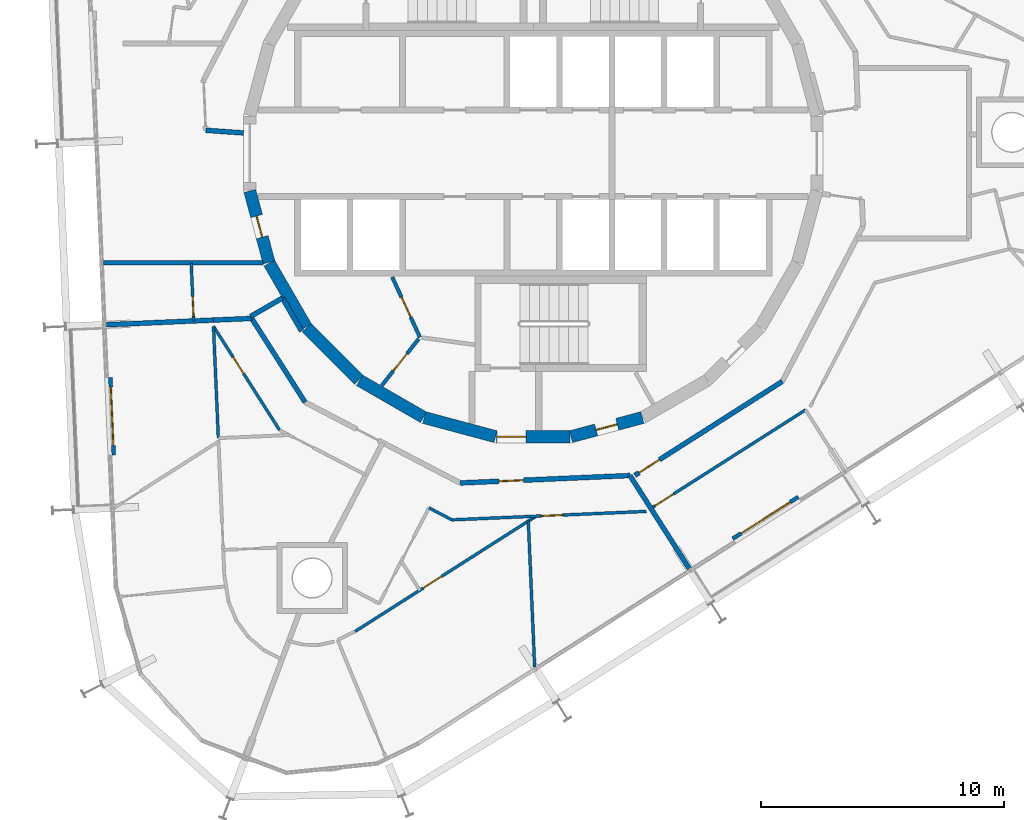
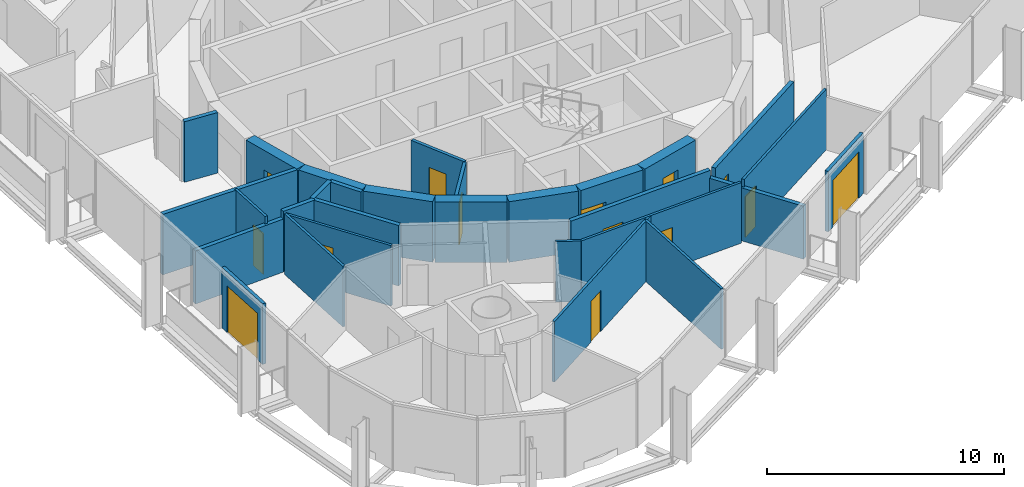
# One storey, part 12 of 18: 29 walls, 14 doors, 14 openings.
"""IFC4 building model written with IfcOpenShell, lengths in metres."""

from ifc_helpers import new_model, si_unit, direction, frame, frame_2d, origin, place, context, subcontext, project, spatial, rectangle, extrude, material, layer, layer_set, type_object, element, fill, save


model = new_model("IFC4")

# Units and contexts
model_context = context("Model", 3, precision=1e-05, world=origin(), true_north=direction((0.0, 1.0)))
body_context = subcontext(model_context, "Body", "Model", "MODEL_VIEW")
ifc_project = project(units=[si_unit("LENGTHUNIT", "METRE"), si_unit("AREAUNIT", "SQUARE_METRE"), si_unit("VOLUMEUNIT", "CUBIC_METRE"), si_unit("PLANEANGLEUNIT", "RADIAN"), si_unit("MASSUNIT", "GRAM", prefix="KILO")], contexts=[model_context])

# Site, building, storey
site_placement = place(None, origin())
site = spatial("IfcSite", under=ifc_project, at=site_placement, CompositionType="ELEMENT")
building_placement = place(site_placement, origin())
building = spatial("IfcBuilding", under=site, at=building_placement, Name="Spindle Arch Residences", CompositionType="ELEMENT")
storey_placement = place(building_placement, frame((0.0, 0.0, 230.199951171875)))
storey = spatial("IfcBuildingStorey", under=building, at=storey_placement, Name="L58", CompositionType="ELEMENT", Elevation=230.199951171875)

# Wall, opening, door
ifc_material_1 = material(Name="Concrete C50/60", Category="concrete")
ifc_layer_1 = layer(ifc_material_1, 0.5)
ifc_layer_set_1 = layer_set([ifc_layer_1], Name="Core outline wall 500")
wall_type_1 = type_object("IfcWallType", Name="Core outline wall 500", PredefinedType="SHEAR", material=ifc_layer_set_1)
wall_1_placement = place(storey_placement, frame((1.5498046875, -11.642822265625, 0.0), z_axis=(0.0, 0.0, 1.0), x_axis=(0.965948410781, 0.258734743916, 0.0)))
wall_1 = element("IfcWall", 1, at=wall_1_placement, inside=storey, type_object=wall_type_1, Name="Core outline wall 1", PredefinedType="SHEAR", context=body_context, shape_type="SweptSolid", body=[
    extrude(rectangle(XDim=3.03271484375, YDim=0.5, at=frame_2d((1.516357421875, 0.0))), origin(), (0.0, 0.0, 1.0), 3.1201171875),
])
opening_1_placement = place(wall_1_placement, frame((1.06640625, 0.0, 0.0)))
opening_1 = element("IfcOpeningElement", 2, at=opening_1_placement, cuts=wall_1, Name="Opening R6A1-WD09", PredefinedType="OPENING", context=body_context, shape_type="SweptSolid", body=[
    extrude(rectangle(XDim=0.89990234375, YDim=2.10009765625, at=frame_2d((0.449951171875, 1.050048828125))), frame((0.0, 0.260009765625, 0.0), z_axis=(0.0, -1.0, 0.0), x_axis=(1.0, 0.0, 0.0)), (0.0, 0.0, 1.0), 0.52001953125),
])
ifc_material_2 = material(Name="Steel, fire-resisting door", Category="steel")
door_type_1 = type_object("IfcDoorType", Name="Service room door 900x2100", OperationType="SINGLE_SWING_LEFT", PredefinedType="DOOR", material=ifc_material_2)
door_1_placement = place(opening_1_placement, origin())
door_1 = element("IfcDoor", 3, at=door_1_placement, inside=storey, type_object=door_type_1, Name="Service room door R6A1-WD09", OperationType="SINGLE_SWING_LEFT", OverallHeight=2.10009765625, OverallWidth=0.89990234375, PredefinedType="DOOR", context=body_context, shape_type="SweptSolid", body=[
    extrude(rectangle(XDim=0.89990234375, YDim=2.10009765625, at=frame_2d((0.449951171875, 1.050048828125))), frame((0.0, 0.02490234375, 0.0), z_axis=(0.0, -1.0, 0.0), x_axis=(1.0, 0.0, 0.0)), (0.0, 0.0, 1.0), 0.050048828125),
])
fill(opening_1, door_1)

wall_2_placement = place(storey_placement, frame((-11.642822265625, -1.5498046875, 0.0), z_axis=(0.0, 0.0, 1.0), x_axis=(0.258734743916, -0.965948410781, 0.0)))
wall_2 = element("IfcWall", 4, at=wall_2_placement, inside=storey, type_object=wall_type_1, Name="Core outline wall 19", PredefinedType="SHEAR", context=body_context, shape_type="SweptSolid", body=[
    extrude(rectangle(XDim=3.03271484375, YDim=0.5, at=frame_2d((1.516357421875, 0.0))), origin(), (0.0, 0.0, 1.0), 3.1201171875),
])
opening_2_placement = place(wall_2_placement, frame((1.06640625, 0.0, 0.0)))
opening_2 = element("IfcOpeningElement", 5, at=opening_2_placement, cuts=wall_2, Name="Opening R6A1-WD10", PredefinedType="OPENING", context=body_context, shape_type="SweptSolid", body=[
    extrude(rectangle(XDim=0.89990234375, YDim=2.10009765625, at=frame_2d((0.449951171875, 1.050048828125))), frame((0.0, 0.260009765625, 0.0), z_axis=(0.0, -1.0, 0.0), x_axis=(1.0, 0.0, 0.0)), (0.0, 0.0, 1.0), 0.52001953125),
])
door_2_placement = place(opening_2_placement, origin())
door_2 = element("IfcDoor", 6, at=door_2_placement, inside=storey, type_object=door_type_1, Name="Service room door R6A1-WD10", OperationType="SINGLE_SWING_RIGHT", OverallHeight=2.10009765625, OverallWidth=0.89990234375, PredefinedType="DOOR", context=body_context, shape_type="SweptSolid", body=[
    extrude(rectangle(XDim=0.89990234375, YDim=2.10009765625, at=frame_2d((0.449951171875, 1.050048828125))), frame((0.0, 0.02490234375, 0.0), z_axis=(0.0, -1.0, 0.0), x_axis=(1.0, 0.0, 0.0)), (0.0, 0.0, 1.0), 0.050048828125),
])
fill(opening_2, door_2)

# Walls
wall_3_placement = place(storey_placement, frame((-10.84521484375, -4.510498046875, 0.0), z_axis=(0.0, 0.0, 1.0), x_axis=(0.500087131594, -0.865975092491, 0.0)))
element("IfcWall", 7, at=wall_3_placement, inside=storey, type_object=wall_type_1, Name="Core outline wall 20", PredefinedType="SHEAR", context=body_context, shape_type="SweptSolid", body=[
    extrude(rectangle(XDim=3.03271484375, YDim=0.5, at=frame_2d((1.516357421875, 0.0))), origin(), (0.0, 0.0, 1.0), 3.1201171875),
])
wall_4_placement = place(storey_placement, frame((-9.30810546875, -7.163818359375, 0.0), z_axis=(0.0, 0.0, 1.0), x_axis=(0.707106781187, -0.707106781187, 0.0)))
element("IfcWall", 8, at=wall_4_placement, inside=storey, type_object=wall_type_1, Name="Core outline wall 21", PredefinedType="SHEAR", context=body_context, shape_type="SweptSolid", body=[
    extrude(rectangle(XDim=3.032470703125, YDim=0.5, at=frame_2d((1.51611328125, 0.0))), origin(), (0.0, 0.0, 1.0), 3.1201171875),
])
for number, where, z_axis, x_axis, name in (
    (9, (-7.13671875, -9.32861328125, 0.0), (0.0, 0.0, 1.0), (0.865975092491, -0.500087131594, 0.0), "Core outline wall 22"),
    (10, (-4.479248046875, -10.858154296875, 0.0), (0.0, 0.0, 1.0), (0.965948410781, -0.258734743916, 0.0), "Core outline wall 23"),
):
    element("IfcWall", number, at=place(storey_placement, frame(where, z_axis=z_axis, x_axis=x_axis)), inside=storey, type_object=wall_type_1, Name=name, PredefinedType="SHEAR", context=body_context, shape_type="SweptSolid", body=[
        extrude(rectangle(XDim=3.03271484375, YDim=0.5, at=frame_2d((1.516357421875, 0.0))), origin(), (0.0, 0.0, 1.0), 3.1201171875),
    ])

# Wall, opening, door
wall_5_placement = place(storey_placement, frame((-1.516357421875, -11.647216796875, 0.0), z_axis=(0.0, 0.0, 1.0), x_axis=(1.0, 0.0, 0.0)))
wall_5 = element("IfcWall", 11, at=wall_5_placement, inside=storey, type_object=wall_type_1, Name="Core outline wall 24", PredefinedType="SHEAR", context=body_context, shape_type="SweptSolid", body=[
    extrude(rectangle(XDim=3.03271484375, YDim=0.5, at=frame_2d((1.516357421875, 0.0))), origin(), (0.0, 0.0, 1.0), 3.1201171875),
])
opening_3_placement = place(wall_5_placement, frame((0.016357421875, 0.0, 0.0)))
opening_3 = element("IfcOpeningElement", 12, at=opening_3_placement, cuts=wall_5, Name="Opening R6A1-AD03", PredefinedType="OPENING", context=body_context, shape_type="SweptSolid", body=[
    extrude(rectangle(XDim=1.199951171875, YDim=2.10009765625, at=frame_2d((0.60009765625, 1.050048828125))), frame((0.0, 0.260009765625, 0.0), z_axis=(0.0, -1.0, 0.0), x_axis=(1.0, 0.0, 0.0)), (0.0, 0.0, 1.0), 0.52001953125),
])
ifc_material_3 = material(Name="Steel, fire-resisting door", Category="steel")
door_type_2 = type_object("IfcDoorType", Name="Stair airlock door 1200x2100", OperationType="SINGLE_SWING_LEFT", PredefinedType="DOOR", material=ifc_material_3)
door_3_placement = place(opening_3_placement, origin())
door_3 = element("IfcDoor", 13, at=door_3_placement, inside=storey, type_object=door_type_2, Name="Stair airlock door R6A1-AD03", OperationType="SINGLE_SWING_RIGHT", OverallHeight=2.10009765625, OverallWidth=1.199951171875, PredefinedType="DOOR", context=body_context, shape_type="SweptSolid", body=[
    extrude(rectangle(XDim=1.199951171875, YDim=2.10009765625, at=frame_2d((0.60009765625, 1.050048828125))), frame((0.0, 0.02490234375, 0.0), z_axis=(0.0, -1.0, 0.0), x_axis=(1.0, 0.0, 0.0)), (0.0, 0.0, 1.0), 0.050048828125),
])
fill(opening_3, door_3)

# Walls
ifc_material_4 = material(Name="Calcium silicate block, plastered")
ifc_layer_2 = layer(ifc_material_4, 0.199951171875)
ifc_layer_set_2 = layer_set([ifc_layer_2], Name="Corridor wall 200")
wall_type_2 = type_object("IfcWallType", Name="Corridor wall 200", PredefinedType="STANDARD", material=ifc_layer_set_2)
wall_6_placement = place(storey_placement, frame((-10.303466796875, -5.94873046875, 0.0), z_axis=(0.0, 0.0, 1.0), x_axis=(-0.866043382451, -0.499968858743, 0.0)))
element("IfcWall", 14, at=wall_6_placement, inside=storey, type_object=wall_type_2, Name="Corridor wall R6A1-W016", PredefinedType="STANDARD", context=body_context, shape_type="SweptSolid", body=[
    extrude(rectangle(XDim=1.51513671875, YDim=0.199951171875, at=frame_2d((0.757568359375, 0.0))), origin(), (0.0, 0.0, 1.0), 3.1201171875),
])
wall_7_placement = place(storey_placement, frame((-9.520263671875, -7.30517578125, 0.0), z_axis=(0.0, 0.0, 1.0), x_axis=(-0.500028278809, 0.866009076391, 0.0)))
element("IfcWall", 15, at=wall_7_placement, inside=storey, type_object=wall_type_2, Name="Corridor wall R6A1-W017", PredefinedType="STANDARD", context=body_context, shape_type="SweptSolid", body=[
    extrude(rectangle(XDim=1.56640625, YDim=0.199951171875, at=frame_2d((0.783203125, 0.0))), origin(), (0.0, 0.0, 1.0), 3.1201171875),
])
wall_8_placement = place(storey_placement, frame((-11.565185546875, -6.785888671875, 0.0), z_axis=(0.0, 0.0, 1.0), x_axis=(0.537297327359, -0.843392898958, 0.0)))
element("IfcWall", 16, at=wall_8_placement, inside=storey, type_object=wall_type_2, Name="Corridor wall R6A1-W018", PredefinedType="STANDARD", context=body_context, shape_type="SweptSolid", body=[
    extrude(rectangle(XDim=4.081298828125, YDim=0.199951171875, at=frame_2d((2.04052734375, 0.0))), origin(), (0.0, 0.0, 1.0), 3.1201171875),
])

# Wall, opening, door
wall_9_placement = place(storey_placement, frame((-3.002685546875, -13.5439453125, 0.0), z_axis=(0.0, 0.0, 1.0), x_axis=(0.999048221872, 0.043619380718, 0.0)))
wall_9 = element("IfcWall", 17, at=wall_9_placement, inside=storey, type_object=wall_type_2, Name="Corridor wall R6A1-W020", PredefinedType="STANDARD", context=body_context, shape_type="SweptSolid", body=[
    extrude(rectangle(XDim=6.9794921875, YDim=0.199951171875, at=frame_2d((3.48974609375, 0.0))), origin(), (0.0, 0.0, 1.0), 3.1201171875),
])
opening_4_placement = place(wall_9_placement, frame((1.60009765625, 0.0, 0.0)))
opening_4 = element("IfcOpeningElement", 18, at=opening_4_placement, cuts=wall_9, Name="Opening R6A1-FD05", PredefinedType="OPENING", context=body_context, shape_type="SweptSolid", body=[
    extrude(rectangle(XDim=1.0, YDim=2.10009765625, at=frame_2d((0.5, 1.050048828125))), frame((0.0, 0.10986328125, 0.0), z_axis=(0.0, -1.0, 0.0), x_axis=(1.0, 0.0, 0.0)), (0.0, 0.0, 1.0), 0.219970703125),
])
ifc_material_5 = material(Name="Timber, fire-resisting door set", Category="wood")
door_type_3 = type_object("IfcDoorType", Name="Flat entrance door 1000x2100", OperationType="NOTDEFINED", PredefinedType="DOOR", material=ifc_material_5)
door_4_placement = place(opening_4_placement, origin())
door_4 = element("IfcDoor", 19, at=door_4_placement, inside=storey, type_object=door_type_3, Name="Flat entrance door R6A1-FD05", OperationType="SINGLE_SWING_LEFT", OverallHeight=2.10009765625, OverallWidth=1.0, PredefinedType="DOOR", context=body_context, shape_type="SweptSolid", body=[
    extrude(rectangle(XDim=1.0, YDim=2.10009765625, at=frame_2d((0.5, 1.050048828125))), frame((0.0, 0.02490234375, 0.0), z_axis=(0.0, -1.0, 0.0), x_axis=(1.0, 0.0, 0.0)), (0.0, 0.0, 1.0), 0.050048828125),
])
fill(opening_4, door_4)

wall_10_placement = place(storey_placement, frame((4.171630859375, -13.230712890625, 0.0), z_axis=(0.0, 0.0, 1.0), x_axis=(0.843388394728, 0.537304397561, 0.0)))
wall_10 = element("IfcWall", 20, at=wall_10_placement, inside=storey, type_object=wall_type_2, Name="Corridor wall R6A1-W021", PredefinedType="STANDARD", context=body_context, shape_type="SweptSolid", body=[
    extrude(rectangle(XDim=7.180908203125, YDim=0.199951171875, at=frame_2d((3.59033203125, 0.0))), origin(), (0.0, 0.0, 1.0), 3.1201171875),
])
opening_5_placement = place(wall_10_placement, frame((0.199951171875, 0.0, 0.0)))
opening_5 = element("IfcOpeningElement", 21, at=opening_5_placement, cuts=wall_10, Name="Opening R6A1-FD06", PredefinedType="OPENING", context=body_context, shape_type="SweptSolid", body=[
    extrude(rectangle(XDim=1.0, YDim=2.10009765625, at=frame_2d((0.5, 1.050048828125))), frame((0.0, 0.10986328125, 0.0), z_axis=(0.0, -1.0, 0.0), x_axis=(1.0, 0.0, 0.0)), (0.0, 0.0, 1.0), 0.219970703125),
])
door_5_placement = place(opening_5_placement, origin())
door_5 = element("IfcDoor", 22, at=door_5_placement, inside=storey, type_object=door_type_3, Name="Flat entrance door R6A1-FD06", OperationType="SINGLE_SWING_LEFT", OverallHeight=2.10009765625, OverallWidth=1.0, PredefinedType="DOOR", context=body_context, shape_type="SweptSolid", body=[
    extrude(rectangle(XDim=1.0, YDim=2.10009765625, at=frame_2d((0.5, 1.050048828125))), frame((0.0, 0.02490234375, 0.0), z_axis=(0.0, -1.0, 0.0), x_axis=(1.0, 0.0, 0.0)), (0.0, 0.0, 1.0), 0.050048828125),
])
fill(opening_5, door_5)

ifc_material_6 = material(Name="Plasterboard on steel studs", Category="steel")
ifc_layer_3 = layer(ifc_material_6, 0.1201171875)
ifc_layer_set_3 = layer_set([ifc_layer_3], Name="Flat partition 120")
wall_type_3 = type_object("IfcWallType", Name="Flat partition 120", PredefinedType="PARTITIONING", material=ifc_layer_set_3)
wall_11_placement = place(storey_placement, frame((-13.947021484375, -6.889892578125, 0.0), z_axis=(0.0, 0.0, 1.0), x_axis=(-0.043680814195, 0.999045537737, 0.0)))
wall_11 = element("IfcWall", 23, at=wall_11_placement, inside=storey, type_object=wall_type_3, Name="Flat partition R6A1-W082", PredefinedType="PARTITIONING", context=body_context, shape_type="SweptSolid", body=[
    extrude(rectangle(XDim=2.39208984375, YDim=0.1201171875, at=frame_2d((1.196044921875, 0.0))), origin(), (0.0, 0.0, 1.0), 3.1201171875),
])
opening_6_placement = place(wall_11_placement, frame((0.199951171875, 0.0, 0.0)))
opening_6 = element("IfcOpeningElement", 24, at=opening_6_placement, cuts=wall_11, Name="Opening R6A1-BD04", PredefinedType="OPENING", context=body_context, shape_type="SweptSolid", body=[
    extrude(rectangle(XDim=0.800048828125, YDim=2.10009765625, at=frame_2d((0.39990234375, 1.050048828125))), frame((0.0, 0.070068359375, 0.0), z_axis=(0.0, -1.0, 0.0), x_axis=(1.0, 0.0, 0.0)), (0.0, 0.0, 1.0), 0.14013671875),
])
ifc_material_7 = material(Name="Timber door set", Category="wood")
door_type_4 = type_object("IfcDoorType", Name="Bathroom door 800x2100", OperationType="NOTDEFINED", PredefinedType="DOOR", material=ifc_material_7)
door_6_placement = place(opening_6_placement, origin())
door_6 = element("IfcDoor", 25, at=door_6_placement, inside=storey, type_object=door_type_4, Name="Bathroom door R6A1-BD04", OperationType="SINGLE_SWING_LEFT", OverallHeight=2.10009765625, OverallWidth=0.800048828125, PredefinedType="DOOR", context=body_context, shape_type="SweptSolid", body=[
    extrude(rectangle(XDim=0.800048828125, YDim=2.10009765625, at=frame_2d((0.39990234375, 1.050048828125))), frame((0.0, 0.02490234375, 0.0), z_axis=(0.0, -1.0, 0.0), x_axis=(1.0, 0.0, 0.0)), (0.0, 0.0, 1.0), 0.050048828125),
])
fill(opening_6, door_6)

wall_12_placement = place(storey_placement, frame((-13.13671875, -7.11083984375, 0.0), z_axis=(0.0, 0.0, 1.0), x_axis=(0.537300549444, -0.843390846267, 0.0)))
wall_12 = element("IfcWall", 26, at=wall_12_placement, inside=storey, type_object=wall_type_3, Name="Flat partition R6A1-W083", PredefinedType="PARTITIONING", context=body_context, shape_type="SweptSolid", body=[
    extrude(rectangle(XDim=5.0537109375, YDim=0.1201171875, at=frame_2d((2.52685546875, 0.0))), origin(), (0.0, 0.0, 1.0), 3.1201171875),
])
opening_7_placement = place(wall_12_placement, frame((1.5, 0.0, 0.0)))
opening_7 = element("IfcOpeningElement", 27, at=opening_7_placement, cuts=wall_12, Name="Opening R6A1-BD05", PredefinedType="OPENING", context=body_context, shape_type="SweptSolid", body=[
    extrude(rectangle(XDim=0.800048828125, YDim=2.10009765625, at=frame_2d((0.39990234375, 1.050048828125))), frame((0.0, 0.070068359375, 0.0), z_axis=(0.0, -1.0, 0.0), x_axis=(1.0, 0.0, 0.0)), (0.0, 0.0, 1.0), 0.14013671875),
])
door_7_placement = place(opening_7_placement, origin())
door_7 = element("IfcDoor", 28, at=door_7_placement, inside=storey, type_object=door_type_4, Name="Bathroom door R6A1-BD05", OperationType="SINGLE_SWING_RIGHT", OverallHeight=2.10009765625, OverallWidth=0.800048828125, PredefinedType="DOOR", context=body_context, shape_type="SweptSolid", body=[
    extrude(rectangle(XDim=0.800048828125, YDim=2.10009765625, at=frame_2d((0.39990234375, 1.050048828125))), frame((0.0, 0.02490234375, 0.0), z_axis=(0.0, -1.0, 0.0), x_axis=(1.0, 0.0, 0.0)), (0.0, 0.0, 1.0), 0.050048828125),
])
fill(opening_7, door_7)

# Walls
wall_13_placement = place(storey_placement, frame((-12.936279296875, -11.70263671875, 0.0), z_axis=(0.0, 0.0, 1.0), x_axis=(-0.043610108597, 0.999048626658, 0.0)))
element("IfcWall", 29, at=wall_13_placement, inside=storey, type_object=wall_type_3, Name="Flat partition R6A1-W085", PredefinedType="PARTITIONING", context=body_context, shape_type="SweptSolid", body=[
    extrude(rectangle(XDim=4.59619140625, YDim=0.1201171875, at=frame_2d((2.298095703125, 0.0))), origin(), (0.0, 0.0, 1.0), 3.1201171875),
])
wall_14_placement = place(storey_placement, frame((-4.28515625, -14.5673828125, 0.0), z_axis=(0.0, 0.0, 1.0), x_axis=(0.887033177378, -0.46170568789, 0.0)))
element("IfcWall", 30, at=wall_14_placement, inside=storey, type_object=wall_type_3, Name="Flat partition R6A1-W098", PredefinedType="PARTITIONING", context=body_context, shape_type="SweptSolid", body=[
    extrude(rectangle(XDim=1.067138671875, YDim=0.1201171875, at=frame_2d((0.53369140625, 0.0))), origin(), (0.0, 0.0, 1.0), 3.1201171875),
])

# Wall, opening, door
wall_15_placement = place(storey_placement, frame((-3.338623046875, -15.06005859375, 0.0), z_axis=(0.0, 0.0, 1.0), x_axis=(0.999047716945, 0.043630943905, 0.0)))
wall_15 = element("IfcWall", 31, at=wall_15_placement, inside=storey, type_object=wall_type_3, Name="Flat partition R6A1-W099", PredefinedType="PARTITIONING", context=body_context, shape_type="SweptSolid", body=[
    extrude(rectangle(XDim=7.98486328125, YDim=0.1201171875, at=frame_2d((3.992431640625, 0.0))), origin(), (0.0, 0.0, 1.0), 3.1201171875),
])
opening_8_placement = place(wall_15_placement, frame((3.653564453125, 0.0, 0.0)))
opening_8 = element("IfcOpeningElement", 32, at=opening_8_placement, cuts=wall_15, Name="Opening R6A1-ID20", PredefinedType="OPENING", context=body_context, shape_type="SweptSolid", body=[
    extrude(rectangle(XDim=0.89990234375, YDim=2.10009765625, at=frame_2d((0.449951171875, 1.050048828125))), frame((0.0, 0.070068359375, 0.0), z_axis=(0.0, -1.0, 0.0), x_axis=(1.0, 0.0, 0.0)), (0.0, 0.0, 1.0), 0.14013671875),
])
ifc_material_8 = material(Name="Timber door set", Category="wood")
door_type_5 = type_object("IfcDoorType", Name="Room door 900x2100", OperationType="NOTDEFINED", PredefinedType="DOOR", material=ifc_material_8)
door_8_placement = place(opening_8_placement, origin())
door_8 = element("IfcDoor", 33, at=door_8_placement, inside=storey, type_object=door_type_5, Name="Room door R6A1-ID20", OperationType="SINGLE_SWING_LEFT", OverallHeight=2.10009765625, OverallWidth=0.89990234375, PredefinedType="DOOR", context=body_context, shape_type="SweptSolid", body=[
    extrude(rectangle(XDim=0.89990234375, YDim=2.10009765625, at=frame_2d((0.449951171875, 1.050048828125))), frame((0.0, 0.02490234375, 0.0), z_axis=(0.0, -1.0, 0.0), x_axis=(1.0, 0.0, 0.0)), (0.0, 0.0, 1.0), 0.050048828125),
])
fill(opening_8, door_8)

wall_16_placement = place(storey_placement, frame((-7.322021484375, -19.64501953125, 0.0), z_axis=(0.0, 0.0, 1.0), x_axis=(0.843385361817, 0.537309158188, 0.0)))
wall_16 = element("IfcWall", 34, at=wall_16_placement, inside=storey, type_object=wall_type_3, Name="Flat partition R6A1-W105", PredefinedType="PARTITIONING", context=body_context, shape_type="SweptSolid", body=[
    extrude(rectangle(XDim=8.81396484375, YDim=0.1201171875, at=frame_2d((4.406982421875, 0.0))), origin(), (0.0, 0.0, 1.0), 3.1201171875),
])
opening_9_placement = place(wall_16_placement, frame((3.314208984375, 0.0, 0.0)))
opening_9 = element("IfcOpeningElement", 35, at=opening_9_placement, cuts=wall_16, Name="Opening R6A1-ID21", PredefinedType="OPENING", context=body_context, shape_type="SweptSolid", body=[
    extrude(rectangle(XDim=0.89990234375, YDim=2.10009765625, at=frame_2d((0.449951171875, 1.050048828125))), frame((0.0, 0.070068359375, 0.0), z_axis=(0.0, -1.0, 0.0), x_axis=(1.0, 0.0, 0.0)), (0.0, 0.0, 1.0), 0.14013671875),
])
door_9_placement = place(opening_9_placement, origin())
door_9 = element("IfcDoor", 36, at=door_9_placement, inside=storey, type_object=door_type_5, Name="Room door R6A1-ID21", OperationType="SINGLE_SWING_LEFT", OverallHeight=2.10009765625, OverallWidth=0.89990234375, PredefinedType="DOOR", context=body_context, shape_type="SweptSolid", body=[
    extrude(rectangle(XDim=0.89990234375, YDim=2.10009765625, at=frame_2d((0.449951171875, 1.050048828125))), frame((0.0, 0.02490234375, 0.0), z_axis=(0.0, -1.0, 0.0), x_axis=(1.0, 0.0, 0.0)), (0.0, 0.0, 1.0), 0.050048828125),
])
fill(opening_9, door_9)

# Wall
wall_17_placement = place(storey_placement, frame((0.05615234375, -21.110107421875, 0.0), z_axis=(0.0, 0.0, 1.0), x_axis=(-0.043629559022, 0.999047777426, 0.0)))
element("IfcWall", 37, at=wall_17_placement, inside=storey, type_object=wall_type_3, Name="Flat partition R6A1-W107", PredefinedType="PARTITIONING", context=body_context, shape_type="SweptSolid", body=[
    extrude(rectangle(XDim=6.004150390625, YDim=0.1201171875, at=frame_2d((3.001953125, 0.0))), origin(), (0.0, 0.0, 1.0), 3.1201171875),
])

# Wall, opening, door
wall_18_placement = place(storey_placement, frame((4.830322265625, -14.589599609375, 0.0), z_axis=(0.0, 0.0, 1.0), x_axis=(0.843393042763, 0.537297101629, 0.0)))
wall_18 = element("IfcWall", 38, at=wall_18_placement, inside=storey, type_object=wall_type_3, Name="Flat partition R6A1-W108", PredefinedType="PARTITIONING", context=body_context, shape_type="SweptSolid", body=[
    extrude(rectangle(XDim=7.530029296875, YDim=0.1201171875, at=frame_2d((3.76513671875, 0.0))), origin(), (0.0, 0.0, 1.0), 3.1201171875),
])
opening_10_placement = place(wall_18_placement, frame((0.199951171875, 0.0, 0.0)))
opening_10 = element("IfcOpeningElement", 39, at=opening_10_placement, cuts=wall_18, Name="Opening R6A1-ID23", PredefinedType="OPENING", context=body_context, shape_type="SweptSolid", body=[
    extrude(rectangle(XDim=0.89990234375, YDim=2.10009765625, at=frame_2d((0.449951171875, 1.050048828125))), frame((0.0, 0.070068359375, 0.0), z_axis=(0.0, -1.0, 0.0), x_axis=(1.0, 0.0, 0.0)), (0.0, 0.0, 1.0), 0.14013671875),
])
door_10_placement = place(opening_10_placement, origin())
door_10 = element("IfcDoor", 40, at=door_10_placement, inside=storey, type_object=door_type_5, Name="Room door R6A1-ID23", OperationType="SINGLE_SWING_LEFT", OverallHeight=2.10009765625, OverallWidth=0.89990234375, PredefinedType="DOOR", context=body_context, shape_type="SweptSolid", body=[
    extrude(rectangle(XDim=0.89990234375, YDim=2.10009765625, at=frame_2d((0.449951171875, 1.050048828125))), frame((0.0, 0.02490234375, 0.0), z_axis=(0.0, -1.0, 0.0), x_axis=(1.0, 0.0, 0.0)), (0.0, 0.0, 1.0), 0.050048828125),
])
fill(opening_10, door_10)

# Walls
ifc_material_9 = material(Name="Calcium silicate block, plastered")
ifc_layer_4 = layer(ifc_material_9, 0.199951171875)
ifc_layer_set_4 = layer_set([ifc_layer_4], Name="Flat party wall 200")
wall_type_4 = type_object("IfcWallType", Name="Flat party wall 200", PredefinedType="STANDARD", material=ifc_layer_set_4)
wall_19_placement = place(storey_placement, frame((-13.14794921875, -6.85498046875, 0.0), z_axis=(0.0, 0.0, 1.0), x_axis=(0.999048583464, 0.043611098121, 0.0)))
element("IfcWall", 41, at=wall_19_placement, inside=storey, type_object=wall_type_4, Name="Flat party wall R6A1-W035", PredefinedType="STANDARD", context=body_context, shape_type="SweptSolid", body=[
    extrude(rectangle(XDim=1.584228515625, YDim=0.199951171875, at=frame_2d((0.7919921875, 0.0))), origin(), (0.0, 0.0, 1.0), 3.1201171875),
])
ifc_material_10 = material(Name="Calcium silicate block, plastered")
ifc_layer_5 = layer(ifc_material_10, 0.199951171875)
ifc_layer_set_5 = layer_set([ifc_layer_5], Name="Flat party wall 200 under beam 2730")
wall_type_5 = type_object("IfcWallType", Name="Flat party wall 200 under beam 2730", PredefinedType="STANDARD", material=ifc_layer_set_5)
wall_20_placement = place(storey_placement, frame((-17.543701171875, -7.047119140625, 0.0), z_axis=(0.0, 0.0, 1.0), x_axis=(0.99904608111, 0.043668384662, 0.0)))
element("IfcWall", 42, at=wall_20_placement, inside=storey, type_object=wall_type_5, Name="Flat party wall R6A1-W034", PredefinedType="STANDARD", context=body_context, shape_type="SweptSolid", body=[
    extrude(rectangle(XDim=4.39990234375, YDim=0.199951171875, at=frame_2d((2.199951171875, 0.0))), origin(), (0.0, 0.0, 1.0), 2.72998046875),
])
wall_21_placement = place(storey_placement, frame((6.406982421875, -17.064208984375, 0.0), z_axis=(0.0, 0.0, 1.0), x_axis=(-0.537324777979, 0.843375410461, 0.0)))
element("IfcWall", 43, at=wall_21_placement, inside=storey, type_object=wall_type_5, Name="Flat party wall R6A1-W039", PredefinedType="STANDARD", context=body_context, shape_type="SweptSolid", body=[
    extrude(rectangle(XDim=4.534912109375, YDim=0.199951171875, at=frame_2d((2.267578125, 0.0))), origin(), (0.0, 0.0, 1.0), 2.72998046875),
])

# Wall, opening, door
ifc_material_11 = material(Name="Non-combustible mineral wool insulated aluminium faced external wall (K0)", Category="aluminium")
ifc_layer_6 = layer(ifc_material_11, 0.159912109375)
ifc_layer_set_6 = layer_set([ifc_layer_6], Name="Insulated external wall panel 160")
wall_type_6 = type_object("IfcWallType", Name="Insulated external wall panel 160", PredefinedType="STANDARD", material=ifc_layer_set_6)
wall_22_placement = place(storey_placement, frame((-17.369384765625, -9.20654296875, 0.0), z_axis=(0.0, 0.0, 1.0), x_axis=(0.043639181999, -0.999047357133, 0.0)))
wall_22 = element("IfcWall", 44, at=wall_22_placement, inside=storey, type_object=wall_type_6, Name="External wall L58 bay 16", PredefinedType="STANDARD", context=body_context, shape_type="SweptSolid", body=[
    extrude(rectangle(XDim=3.199951171875, YDim=0.159912109375, at=frame_2d((1.60009765625, 0.0))), origin(), (0.0, 0.0, 1.0), 3.1201171875),
])
opening_11_placement = place(wall_22_placement, frame((0.39990234375, 0.0, 0.0)))
opening_11 = element("IfcOpeningElement", 45, at=opening_11_placement, cuts=wall_22, Name="Opening BD16", PredefinedType="OPENING", context=body_context, shape_type="SweptSolid", body=[
    extrude(rectangle(XDim=2.39990234375, YDim=2.39990234375, at=frame_2d((1.199951171875, 1.199951171875))), frame((0.0, 0.08984375, 0.0), z_axis=(0.0, -1.0, 0.0), x_axis=(1.0, 0.0, 0.0)), (0.0, 0.0, 1.0), 0.179931640625),
])
ifc_material_12 = material(Name="Bronze aluminium frame, tinted double glazing", Category="aluminium")
door_type_6 = type_object("IfcDoorType", Name="Sliding glazed balcony door 2400x2400", OperationType="DOUBLE_DOOR_SLIDING", PredefinedType="DOOR", material=ifc_material_12)
door_11_placement = place(opening_11_placement, origin())
door_11 = element("IfcDoor", 46, at=door_11_placement, inside=storey, type_object=door_type_6, Name="Balcony door BD16", OperationType="DOUBLE_DOOR_SLIDING", OverallHeight=2.39990234375, OverallWidth=2.39990234375, PredefinedType="DOOR", context=body_context, shape_type="SweptSolid", body=[
    extrude(rectangle(XDim=2.39990234375, YDim=2.39990234375, at=frame_2d((1.199951171875, 1.199951171875))), frame((0.0, 0.02490234375, 0.0), z_axis=(0.0, -1.0, 0.0), x_axis=(1.0, 0.0, 0.0)), (0.0, 0.0, 1.0), 0.050048828125),
])
fill(opening_11, door_11)

wall_23_placement = place(storey_placement, frame((8.18994140625, -15.83349609375, 0.0), z_axis=(0.0, 0.0, 1.0), x_axis=(0.843419508298, 0.53725555653, 0.0)))
wall_23 = element("IfcWall", 47, at=wall_23_placement, inside=storey, type_object=wall_type_6, Name="External wall L58 bay 22", PredefinedType="STANDARD", context=body_context, shape_type="SweptSolid", body=[
    extrude(rectangle(XDim=3.199951171875, YDim=0.159912109375, at=frame_2d((1.60009765625, 0.0))), origin(), (0.0, 0.0, 1.0), 3.1201171875),
])
opening_12_placement = place(wall_23_placement, frame((0.39990234375, 0.0, 0.0)))
opening_12 = element("IfcOpeningElement", 48, at=opening_12_placement, cuts=wall_23, Name="Opening BD22", PredefinedType="OPENING", context=body_context, shape_type="SweptSolid", body=[
    extrude(rectangle(XDim=2.39990234375, YDim=2.39990234375, at=frame_2d((1.199951171875, 1.199951171875))), frame((0.0, 0.08984375, 0.0), z_axis=(0.0, -1.0, 0.0), x_axis=(1.0, 0.0, 0.0)), (0.0, 0.0, 1.0), 0.179931640625),
])
door_12_placement = place(opening_12_placement, origin())
door_12 = element("IfcDoor", 49, at=door_12_placement, inside=storey, type_object=door_type_6, Name="Balcony door BD22", OperationType="DOUBLE_DOOR_SLIDING", OverallHeight=2.39990234375, OverallWidth=2.39990234375, PredefinedType="DOOR", context=body_context, shape_type="SweptSolid", body=[
    extrude(rectangle(XDim=2.39990234375, YDim=2.39990234375, at=frame_2d((1.199951171875, 1.199951171875))), frame((0.0, 0.02490234375, 0.0), z_axis=(0.0, -1.0, 0.0), x_axis=(1.0, 0.0, 0.0)), (0.0, 0.0, 1.0), 0.050048828125),
])
fill(opening_12, door_12)

# Walls
ifc_material_13 = material(Name="Calcium silicate block, plastered")
ifc_layer_7 = layer(ifc_material_13, 0.199951171875)
ifc_layer_set_7 = layer_set([ifc_layer_7], Name="Lift lobby bay wall 200")
wall_type_7 = type_object("IfcWallType", Name="Lift lobby bay wall 200", PredefinedType="STANDARD", material=ifc_layer_set_7)
wall_24_placement = place(storey_placement, frame((-13.453857421875, 0.94091796875, 0.0), z_axis=(0.0, 0.0, 1.0), x_axis=(0.99755155062, -0.069934997354, 0.0)))
element("IfcWall", 50, at=wall_24_placement, inside=storey, type_object=wall_type_7, Name="Lift lobby bay wall R6A1-W009", PredefinedType="STANDARD", context=body_context, shape_type="SweptSolid", body=[
    extrude(rectangle(XDim=1.560546875, YDim=0.199951171875, at=frame_2d((0.7802734375, 0.0))), origin(), (0.0, 0.0, 1.0), 3.1201171875),
])
wall_25_placement = place(storey_placement, frame((-17.65478515625, -4.5, 0.0), z_axis=(0.0, 0.0, 1.0), x_axis=(1.0, 0.0, 0.0)))
element("IfcWall", 51, at=wall_25_placement, inside=storey, type_object=wall_type_7, Name="Lift lobby bay wall R6A1-W023", PredefinedType="STANDARD", context=body_context, shape_type="SweptSolid", body=[
    extrude(rectangle(XDim=6.54345703125, YDim=0.199951171875, at=frame_2d((3.271728515625, 0.0))), origin(), (0.0, 0.0, 1.0), 3.1201171875),
])

# Wall, opening, door
ifc_material_14 = material(Name="Concrete C25/30", Category="concrete")
ifc_layer_8 = layer(ifc_material_14, 0.14990234375)
ifc_layer_set_8 = layer_set([ifc_layer_8], Name="Service room partition 150")
wall_type_8 = type_object("IfcWallType", Name="Service room partition 150", PredefinedType="PARTITIONING", material=ifc_layer_set_8)
wall_26_placement = place(storey_placement, frame((-5.794921875, -5.086181640625, 0.0), z_axis=(0.0, 0.0, 1.0), x_axis=(0.417887867606, -0.908498613157, 0.0)))
wall_26 = element("IfcWall", 52, at=wall_26_placement, inside=storey, type_object=wall_type_8, Name="Core service room partition", PredefinedType="PARTITIONING", context=body_context, shape_type="SweptSolid", body=[
    extrude(rectangle(XDim=2.72607421875, YDim=0.14990234375, at=frame_2d((1.363037109375, 0.0))), origin(), (0.0, 0.0, 1.0), 3.1201171875),
])
opening_13_placement = place(wall_26_placement, frame((0.912841796875, 0.0, 0.0)))
opening_13 = element("IfcOpeningElement", 53, at=opening_13_placement, cuts=wall_26, Name="Opening R6A1-WD06", PredefinedType="OPENING", context=body_context, shape_type="SweptSolid", body=[
    extrude(rectangle(XDim=0.89990234375, YDim=2.10009765625, at=frame_2d((0.449951171875, 1.050048828125))), frame((0.0, 0.0849609375, 0.0), z_axis=(0.0, -1.0, 0.0), x_axis=(1.0, 0.0, 0.0)), (0.0, 0.0, 1.0), 0.169921875),
])
door_13_placement = place(opening_13_placement, origin())
door_13 = element("IfcDoor", 54, at=door_13_placement, inside=storey, type_object=door_type_1, Name="Service room door R6A1-WD06", OperationType="SINGLE_SWING_RIGHT", OverallHeight=2.10009765625, OverallWidth=0.89990234375, PredefinedType="DOOR", context=body_context, shape_type="SweptSolid", body=[
    extrude(rectangle(XDim=0.89990234375, YDim=2.10009765625, at=frame_2d((0.449951171875, 1.050048828125))), frame((0.0, 0.02490234375, 0.0), z_axis=(0.0, -1.0, 0.0), x_axis=(1.0, 0.0, 0.0)), (0.0, 0.0, 1.0), 0.050048828125),
])
fill(opening_13, door_13)

wall_27_placement = place(storey_placement, frame((-4.70556640625, -7.62548828125, 0.0), z_axis=(0.0, 0.0, 1.0), x_axis=(-0.621392599334, -0.783499353856, 0.0)))
wall_27 = element("IfcWall", 55, at=wall_27_placement, inside=storey, type_object=wall_type_8, Name="Core service room partition", PredefinedType="PARTITIONING", context=body_context, shape_type="SweptSolid", body=[
    extrude(rectangle(XDim=2.447265625, YDim=0.14990234375, at=frame_2d((1.2236328125, 0.0))), origin(), (0.0, 0.0, 1.0), 3.1201171875),
])
opening_14_placement = place(wall_27_placement, frame((0.773681640625, 0.0, 0.0)))
opening_14 = element("IfcOpeningElement", 56, at=opening_14_placement, cuts=wall_27, Name="Opening R6A1-WD07", PredefinedType="OPENING", context=body_context, shape_type="SweptSolid", body=[
    extrude(rectangle(XDim=0.89990234375, YDim=2.10009765625, at=frame_2d((0.449951171875, 1.050048828125))), frame((0.0, 0.0849609375, 0.0), z_axis=(0.0, -1.0, 0.0), x_axis=(1.0, 0.0, 0.0)), (0.0, 0.0, 1.0), 0.169921875),
])
door_14_placement = place(opening_14_placement, origin())
door_14 = element("IfcDoor", 57, at=door_14_placement, inside=storey, type_object=door_type_1, Name="Service room door R6A1-WD07", OperationType="SINGLE_SWING_LEFT", OverallHeight=2.10009765625, OverallWidth=0.89990234375, PredefinedType="DOOR", context=body_context, shape_type="SweptSolid", body=[
    extrude(rectangle(XDim=0.89990234375, YDim=2.10009765625, at=frame_2d((0.449951171875, 1.050048828125))), frame((0.0, 0.02490234375, 0.0), z_axis=(0.0, -1.0, 0.0), x_axis=(1.0, 0.0, 0.0)), (0.0, 0.0, 1.0), 0.050048828125),
])
fill(opening_14, door_14)

save(model, "model.ifc")
